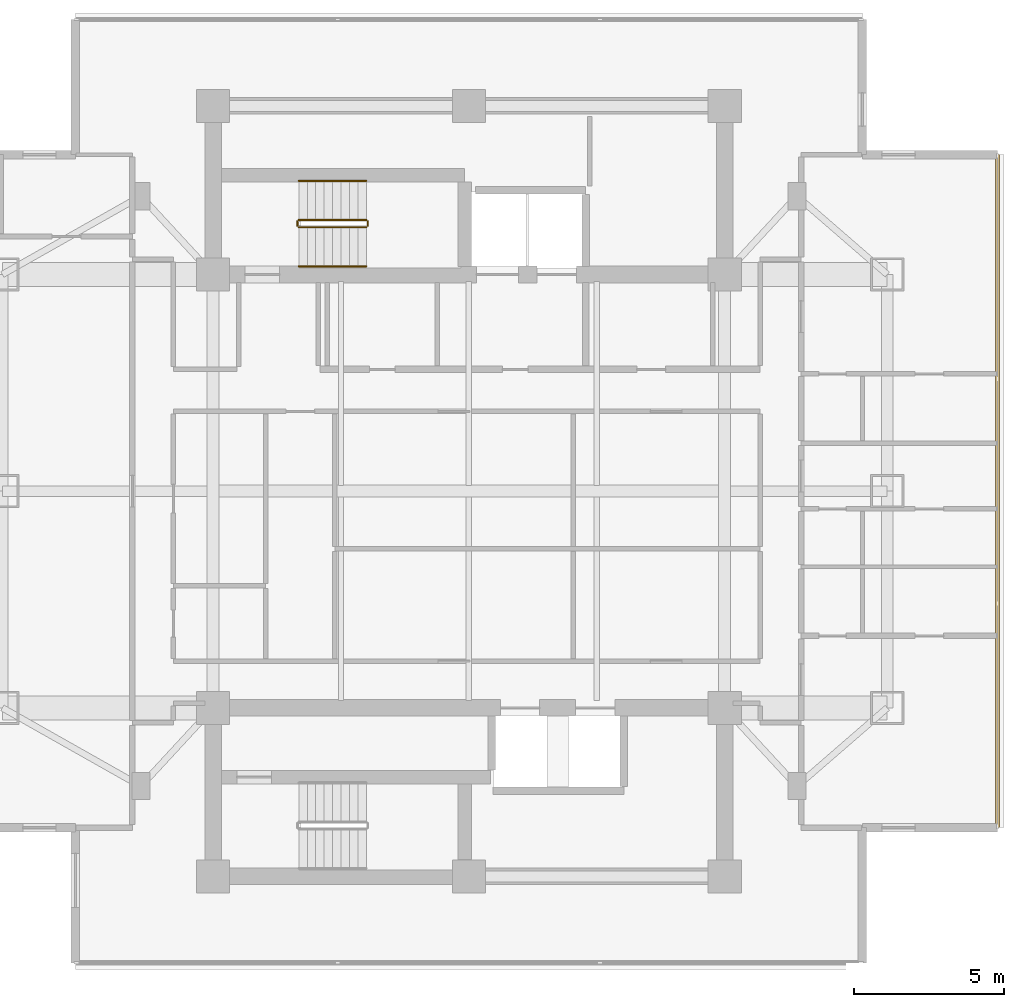
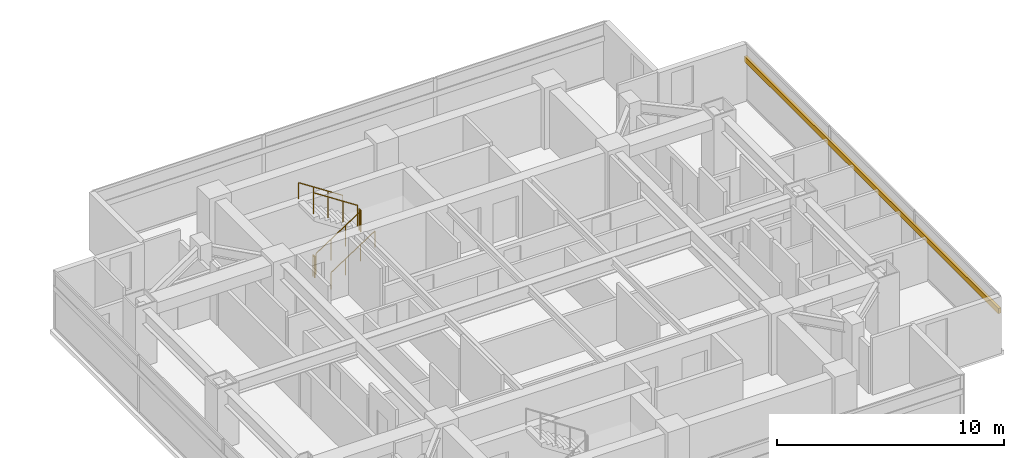
# One storey, part 25 of 26: 6 railings, 1 shading device.
"""IFC4 building model written with IfcOpenShell, lengths in metres."""

from ifc_helpers import new_model, si_unit, direction, frame, origin, origin_2d, place, context, subcontext, project, spatial, rectangle, circle, extrude, material, material_profile, profile_set, type_object, element, save


model = new_model("IFC4")

# Units and contexts
model_context = context("Model", 3, precision=1e-05, world=origin(), true_north=direction((0.0, 1.0)))
body_context = subcontext(model_context, "Body", "Model", "MODEL_VIEW")
ifc_project = project(units=[si_unit("LENGTHUNIT", "METRE"), si_unit("AREAUNIT", "SQUARE_METRE"), si_unit("VOLUMEUNIT", "CUBIC_METRE"), si_unit("PLANEANGLEUNIT", "RADIAN"), si_unit("MASSUNIT", "GRAM", prefix="KILO")], contexts=[model_context])

# Site, building, storey
site_placement = place(None, origin())
site = spatial("IfcSite", under=ifc_project, at=site_placement, CompositionType="ELEMENT")
building_placement = place(site_placement, origin())
building = spatial("IfcBuilding", under=site, at=building_placement, Name="Mirazonda Arch Towers", CompositionType="ELEMENT")
storey_placement = place(building_placement, frame((0.0, 0.0, 128.0)))
storey = spatial("IfcBuildingStorey", under=building, at=storey_placement, Name="L36", CompositionType="ELEMENT", Elevation=128.0)

# Shading device
ifc_material_1 = material(Name="Kiln-Fired Architectural Terracotta", Category="masonry")
ifc_material_profile = material_profile(ifc_material_1, rectangle(XDim=0.139892578125, YDim=0.280029296875, at=origin_2d()), Name="TERRA-BAG-140x280")
ifc_profile_set = profile_set([ifc_material_profile], Name="Kiln-Fired Architectural Terracotta")
shading_device_type = type_object("IfcShadingDeviceType", Name="BAGUETTE-3", PredefinedType="USERDEFINED", material=ifc_profile_set)
shading_device_placement = place(storey_placement, frame((94.05908203125, 16.817626953125, 2.203125), z_axis=(0.0, 1.0, 0.0), x_axis=(-1.0, 0.0, 0.0)))
element("IfcShadingDevice", 1, at=shading_device_placement, inside=storey, type_object=shading_device_type, Name="L36 Glazed Terracotta Sun-Screen Baguette CW-L36-T2-E", ObjectType="BAGUETTE", PredefinedType="USERDEFINED", context=body_context, shape_type="SweptSolid", body=[
    extrude(rectangle(XDim=0.139892578125, YDim=0.280029296875, at=origin_2d()), origin(), (0.0, 0.0, 1.0), 22.36474609375),
])

# Railings
ifc_material_2 = material(Name="Architectural Brushed Steel S355", Category="steel")
railing_type_1 = type_object("IfcRailingType", Name="GUARD-STAIR-1120", PredefinedType="GUARDRAIL", material=ifc_material_2)
railing_1_placement = place(storey_placement, frame((70.85009765625, 36.77001953125, 0.183349609375)))
element("IfcRailing", 2, at=railing_1_placement, inside=storey, type_object=railing_type_1, Name="L36 ST-T2N stair guard 1", PredefinedType="GUARDRAIL", context=body_context, shape_type="SweptSolid", body=[
    extrude(circle(Radius=0.02392578125, at=origin_2d()), frame((0.0, 0.0, 1.1259765625), z_axis=(0.836636935527, 0.0, 0.547757827979), x_axis=(0.0, 1.0, 0.0)), (0.0, 0.0, 1.0), 2.677490234375),
    extrude(circle(Radius=0.02099609375, at=origin_2d()), origin(), (0.0, 0.0, 1.0), 1.101806640625),
    extrude(circle(Radius=0.02099609375, at=origin_2d()), frame((0.74658203125, 0.0, 0.48876953125)), (0.0, 0.0, 1.0), 1.101806640625),
    extrude(circle(Radius=0.02099609375, at=origin_2d()), frame((1.493408203125, 0.0, 0.977783203125)), (0.0, 0.0, 1.0), 1.101806640625),
    extrude(circle(Radius=0.02099609375, at=origin_2d()), frame((2.239990234375, 0.0, 1.466552734375)), (0.0, 0.0, 1.0), 1.101806640625),
])
railing_2_placement = place(storey_placement, frame((73.139892578125, 36.820068359375, 1.64990234375)))
element("IfcRailing", 3, at=railing_2_placement, inside=storey, type_object=railing_type_1, Name="L36 ST-T2N stair guard 2", PredefinedType="GUARDRAIL", context=body_context, shape_type="SweptSolid", body=[
    extrude(circle(Radius=0.02392578125, at=origin_2d()), frame((0.0, 0.0, 1.1259765625), z_axis=(0.0, 1.0, 0.0), x_axis=(-1.0, 0.0, 0.0)), (0.0, 0.0, 1.0), 0.139892578125),
    extrude(circle(Radius=0.02099609375, at=origin_2d()), origin(), (0.0, 0.0, 1.0), 1.101806640625),
    extrude(circle(Radius=0.02099609375, at=origin_2d()), frame((0.0, 0.139892578125, 0.0)), (0.0, 0.0, 1.0), 1.101806640625),
])
railing_3_placement = place(storey_placement, frame((73.090087890625, 37.010009765625, 1.833251953125)))
element("IfcRailing", 4, at=railing_3_placement, inside=storey, type_object=railing_type_1, Name="L36 ST-T2N stair guard 3", PredefinedType="GUARDRAIL", context=body_context, shape_type="SweptSolid", body=[
    extrude(circle(Radius=0.02392578125, at=origin_2d()), frame((0.0, 0.0, 1.1259765625), z_axis=(-0.836595146698, 0.0, 0.547821650285), x_axis=(0.0, -1.0, 0.0)), (0.0, 0.0, 1.0), 2.677490234375),
    extrude(circle(Radius=0.02099609375, at=origin_2d()), origin(), (0.0, 0.0, 1.0), 1.101806640625),
    extrude(circle(Radius=0.02099609375, at=origin_2d()), frame((-0.74658203125, 0.0, 0.489013671875)), (0.0, 0.0, 1.0), 1.101806640625),
    extrude(circle(Radius=0.02099609375, at=origin_2d()), frame((-1.493408203125, 0.0, 0.977783203125)), (0.0, 0.0, 1.0), 1.101806640625),
    extrude(circle(Radius=0.02099609375, at=origin_2d()), frame((-2.239990234375, 0.0, 1.466796875)), (0.0, 0.0, 1.0), 1.101806640625),
])
railing_4_placement = place(storey_placement, frame((70.800048828125, 36.820068359375, 0.0)))
element("IfcRailing", 5, at=railing_4_placement, inside=storey, type_object=railing_type_1, Name="L36 ST-T2N stair guard 4", PredefinedType="GUARDRAIL", context=body_context, shape_type="SweptSolid", body=[
    extrude(circle(Radius=0.02392578125, at=origin_2d()), frame((0.0, 0.0, 1.1259765625), z_axis=(0.0, 1.0, 0.0), x_axis=(-1.0, 0.0, 0.0)), (0.0, 0.0, 1.0), 0.139892578125),
    extrude(circle(Radius=0.02099609375, at=origin_2d()), origin(), (0.0, 0.0, 1.0), 1.101806640625),
    extrude(circle(Radius=0.02099609375, at=origin_2d()), frame((0.0, 0.139892578125, 0.0)), (0.0, 0.0, 1.0), 1.101806640625),
])
railing_type_2 = type_object("IfcRailingType", Name="HANDRAIL-915", PredefinedType="HANDRAIL", material=ifc_material_2)
railing_5_placement = place(storey_placement, frame((70.85009765625, 35.469970703125, 0.183349609375)))
element("IfcRailing", 6, at=railing_5_placement, inside=storey, type_object=railing_type_2, Name="L36 ST-T2N stair handrail 1", PredefinedType="HANDRAIL", context=body_context, shape_type="SweptSolid", body=[
    extrude(circle(Radius=0.02392578125, at=origin_2d()), frame((0.0, 0.0, 0.8759765625), z_axis=(0.836636935527, 0.0, 0.547757827979), x_axis=(0.0, 1.0, 0.0)), (0.0, 0.0, 1.0), 2.677490234375),
    extrude(circle(Radius=0.02099609375, at=origin_2d()), origin(), (0.0, 0.0, 1.0), 0.851806640625),
    extrude(circle(Radius=0.02099609375, at=origin_2d()), frame((0.74658203125, 0.0, 0.48876953125)), (0.0, 0.0, 1.0), 0.851806640625),
    extrude(circle(Radius=0.02099609375, at=origin_2d()), frame((1.493408203125, 0.0, 0.977783203125)), (0.0, 0.0, 1.0), 0.851806640625),
    extrude(circle(Radius=0.02099609375, at=origin_2d()), frame((2.239990234375, 0.0, 1.466552734375)), (0.0, 0.0, 1.0), 0.851806640625),
])
railing_6_placement = place(storey_placement, frame((73.090087890625, 38.31005859375, 1.833251953125)))
element("IfcRailing", 7, at=railing_6_placement, inside=storey, type_object=railing_type_2, Name="L36 ST-T2N stair handrail 2", PredefinedType="HANDRAIL", context=body_context, shape_type="SweptSolid", body=[
    extrude(circle(Radius=0.02392578125, at=origin_2d()), frame((0.0, 0.0, 0.8759765625), z_axis=(-0.836595146698, 0.0, 0.547821650285), x_axis=(0.0, -1.0, 0.0)), (0.0, 0.0, 1.0), 2.677490234375),
    extrude(circle(Radius=0.02099609375, at=origin_2d()), origin(), (0.0, 0.0, 1.0), 0.851806640625),
    extrude(circle(Radius=0.02099609375, at=origin_2d()), frame((-0.74658203125, 0.0, 0.489013671875)), (0.0, 0.0, 1.0), 0.851806640625),
    extrude(circle(Radius=0.02099609375, at=origin_2d()), frame((-1.493408203125, 0.0, 0.977783203125)), (0.0, 0.0, 1.0), 0.851806640625),
    extrude(circle(Radius=0.02099609375, at=origin_2d()), frame((-2.239990234375, 0.0, 1.466796875)), (0.0, 0.0, 1.0), 0.851806640625),
])

save(model, "model.ifc")
